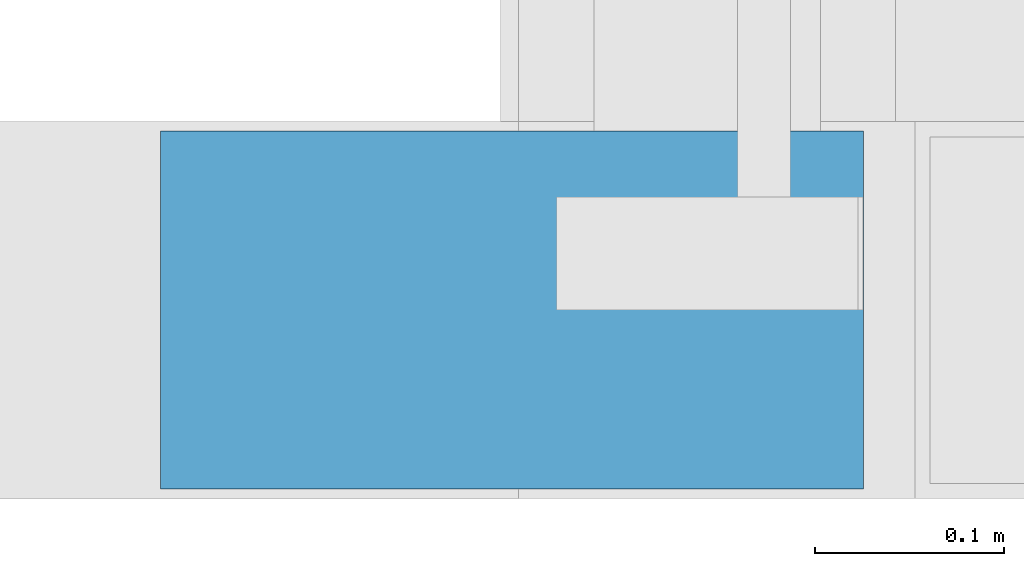
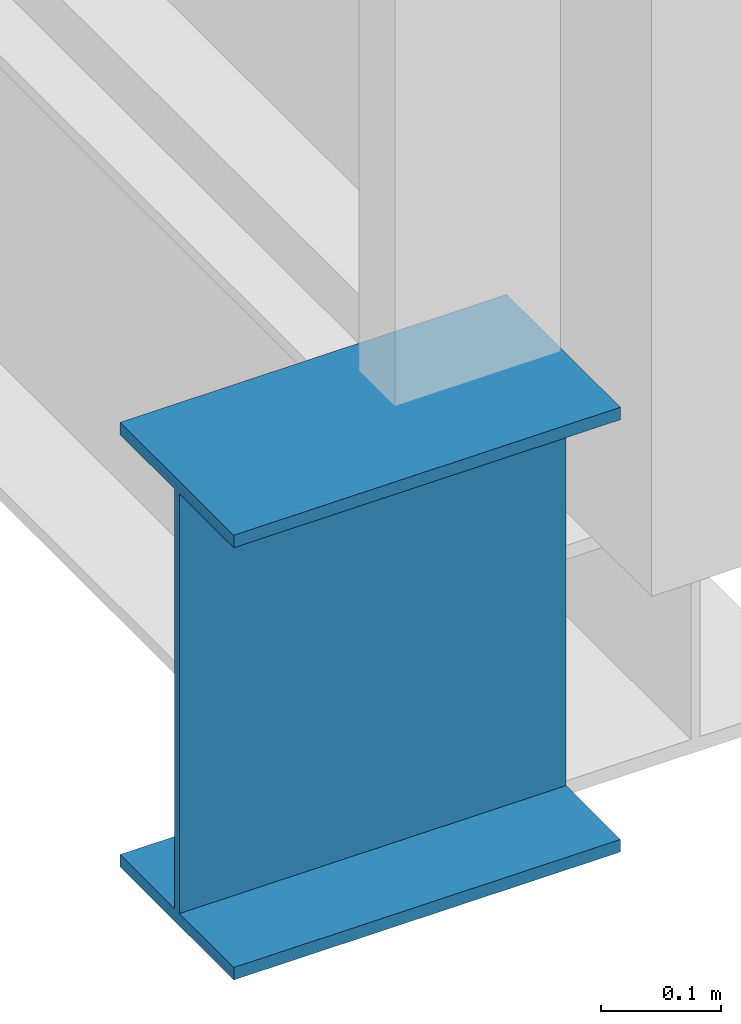
# One storey, part 137 of 646: 1 beam.
"""IFC4 building model written with IfcOpenShell, lengths in metres."""

from ifc_helpers import new_model, si_unit, direction, frame, origin, origin_2d, place, context, subcontext, project, spatial, i_section, extrude, material, material_profile, profile_set, type_object, element, save


model = new_model("IFC4")

# Units and contexts
model_context = context("Model", 3, precision=1e-05, world=origin(), true_north=direction((0.0, 1.0)))
body_context = subcontext(model_context, "Body", "Model", "MODEL_VIEW")
ifc_project = project(units=[si_unit("LENGTHUNIT", "METRE"), si_unit("AREAUNIT", "SQUARE_METRE"), si_unit("VOLUMEUNIT", "CUBIC_METRE"), si_unit("PLANEANGLEUNIT", "RADIAN"), si_unit("MASSUNIT", "GRAM", prefix="KILO")], contexts=[model_context])

# Site, building, storey
site_placement = place(None, origin())
site = spatial("IfcSite", under=ifc_project, at=site_placement, CompositionType="ELEMENT")
building_placement = place(site_placement, origin())
building = spatial("IfcBuilding", under=site, at=building_placement, Name="Silverbay Arena", CompositionType="ELEMENT")
storey_placement = place(building_placement, frame((0.0, 0.0, 33.5)))
storey = spatial("IfcBuildingStorey", under=building, at=storey_placement, Name="L05", CompositionType="ELEMENT", Elevation=33.5)

# Beam
ifc_material = material(Name="Steel S355", Category="steel")
ifc_material_profile = material_profile(ifc_material, i_section(OverallWidth=0.18994140625, OverallDepth=0.453369140625, WebThickness=0.008544921875, FlangeThickness=0.0126953125, at=origin_2d()), Name="UB 457x191x67")
ifc_profile_set = profile_set([ifc_material_profile], Name="Steel S355")
beam_type = type_object("IfcBeamType", Name="Ring beam UB 457x191x67", PredefinedType="BEAM", material=ifc_profile_set)
beam_placement = place(storey_placement, frame((53.5, 9.0, 4.226806640625), z_axis=(1.0, 0.0, 0.0), x_axis=(0.0, 1.0, 0.0)))
element("IfcBeam", 1, at=beam_placement, inside=storey, type_object=beam_type, Name="RING BEAM south edge 7 WEST END", PredefinedType="BEAM", context=body_context, shape_type="SweptSolid", body=[
    extrude(i_section(OverallWidth=0.18994140625, OverallDepth=0.453369140625, WebThickness=0.008544921875, FlangeThickness=0.0126953125, at=origin_2d()), origin(), (0.0, 0.0, 1.0), 0.372802734375),
])

save(model, "model.ifc")
